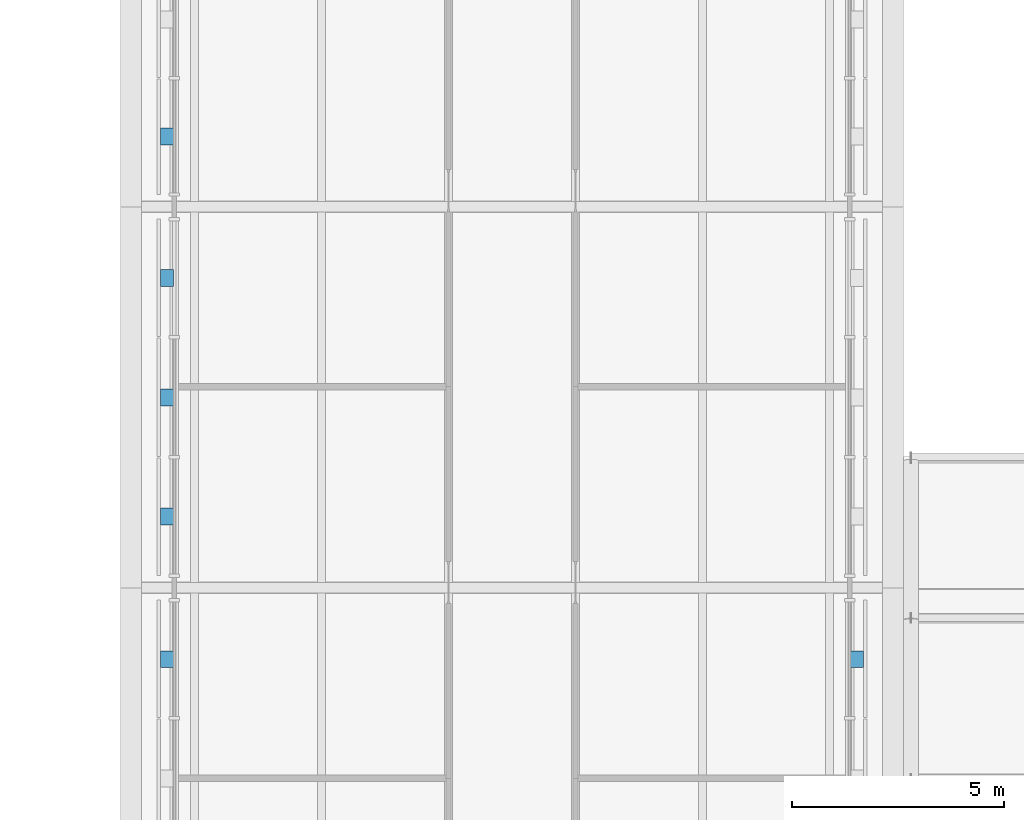
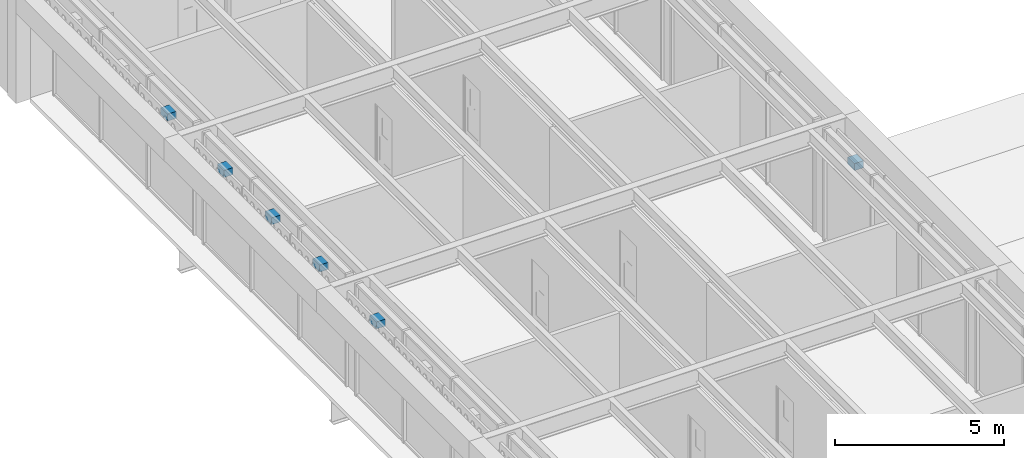
# One storey, part 29 of 43: 6 discrete accessories.
"""IFC4 building model written with IfcOpenShell, lengths in metres."""

import ifcopenshell
import ifcopenshell.guid

model = None  # the IFC model being written
_history = None  # IfcOwnerHistory: only IFC2X3 demands one
_inside = {}  # id of a spatial element -> (the spatial element, [elements in it])
_under = {}  # id of a project, library or spatial element -> (it, [spatial elements below it])
_declared = {}  # id of a project -> (the project, [libraries it declares])
_typed = {}  # id of a type object -> (the type object, [elements of that type])
_made_of = {}  # id of a material, layer set ... -> (it, [elements and type objects made of it])


def new_model(schema):
    """Start an empty IFC model of exactly this schema.

    Asked for "IFC4X3", IfcOpenShell would pick the latest addendum, in which some entities
    have other attributes; the version numbers below select the first issue.
    IFC2X3 requires an IfcOwnerHistory on every rooted entity: one is made here for all.
    """
    global model, _history
    if schema == "IFC4X3":
        model = ifcopenshell.file(schema_version=(4, 3, 0, 0))
    else:
        model = ifcopenshell.file(schema=schema)
    _inside.clear()
    _under.clear()
    _declared.clear()
    _typed.clear()
    _made_of.clear()
    _history = None
    if model.schema == "IFC2X3":
        org = make("IfcOrganization", Name="unknown")
        user = make(
            "IfcPersonAndOrganization",
            ThePerson=make("IfcPerson", FamilyName="unknown"),
            TheOrganization=org,
        )
        app = make(
            "IfcApplication",
            ApplicationDeveloper=org,
            Version="unknown",
            ApplicationFullName="unknown",
            ApplicationIdentifier="unknown",
        )
        _history = make(
            "IfcOwnerHistory",
            OwningUser=user,
            OwningApplication=app,
            ChangeAction="ADDED",
            CreationDate=0,
        )
    return model


def make(cls, **values):
    """One entity of the class cls with the attributes given. An attribute that is None is left unset."""
    return model.create_entity(
        cls, **{name: value for name, value in values.items() if value is not None}
    )


def rooted(cls, **values):
    """An entity with a GlobalId (a new one), such as an element, a storey or a relation."""
    return make(cls, GlobalId=ifcopenshell.guid.new(), OwnerHistory=_history, **values)


def si_unit(unit_type, name, prefix=None):
    """IfcSIUnit, for example si_unit("LENGTHUNIT", "METRE", prefix="MILLI")."""
    return make("IfcSIUnit", UnitType=unit_type, Prefix=prefix, Name=name)


def assignment(units):
    """IfcUnitAssignment: the units of a project."""
    return None if units is None else make("IfcUnitAssignment", Units=units)


def point(xyz):
    """IfcCartesianPoint."""
    return None if xyz is None else make("IfcCartesianPoint", Coordinates=xyz)


def direction(xyz):
    """IfcDirection."""
    return None if xyz is None else make("IfcDirection", DirectionRatios=xyz)


def frame(location, z_axis=None, x_axis=None):
    """IfcAxis2Placement3D, a coordinate frame: its origin and axes. An axis left out is left unset."""
    return make(
        "IfcAxis2Placement3D",
        Location=point(location),
        Axis=direction(z_axis),
        RefDirection=direction(x_axis),
    )


def frame_2d(location, x_axis=None):
    """IfcAxis2Placement2D, a coordinate frame in the plane: its origin and x axis."""
    return make(
        "IfcAxis2Placement2D", Location=point(location), RefDirection=direction(x_axis)
    )


def origin():
    """The frame at (0, 0, 0) with its axes left unset."""
    return frame((0.0, 0.0, 0.0))


def origin_2d():
    """The frame at (0, 0) in the plane with its x axis left unset."""
    return frame_2d((0.0, 0.0))


def place(relative_to, where):
    """IfcLocalPlacement: puts the frame where relative to a parent placement (None: the world)."""
    return make(
        "IfcLocalPlacement", PlacementRelTo=relative_to, RelativePlacement=where
    )


def context(
    kind, dimensions, precision=None, world=None, true_north=None, identifier=None
):
    """IfcGeometricRepresentationContext, for example the 3D "Model" context."""
    return make(
        "IfcGeometricRepresentationContext",
        ContextIdentifier=identifier,
        ContextType=kind,
        CoordinateSpaceDimension=dimensions,
        Precision=precision,
        WorldCoordinateSystem=world,
        TrueNorth=true_north,
    )


def subcontext(parent, identifier, kind, view, scale=None):
    """IfcGeometricRepresentationSubContext, for example "Body" below "Model"."""
    return make(
        "IfcGeometricRepresentationSubContext",
        ContextIdentifier=identifier,
        ContextType=kind,
        ParentContext=parent,
        TargetScale=scale,
        TargetView=view,
    )


def project(units=None, contexts=None):
    """IfcProject with its units and contexts."""
    return rooted(
        "IfcProject",
        Name="project",
        RepresentationContexts=contexts,
        UnitsInContext=assignment(units),
    )


def spatial(cls, under=None, at=None, **own):
    """A site, building, storey or space (cls), placed at a placement, below another one or the project."""
    s = rooted(cls, ObjectPlacement=at, **own)
    if under is not None:
        _under.setdefault(under.id(), (under, []))[1].append(s)
    return s


def profile(cls, at=None, kind="AREA", **sizes):
    """A parametric profile (cls). Its sizes go by their IFC names, for example OverallWidth=200.0."""
    return make(cls, ProfileType=kind, Position=at, **sizes)


def rectangle(**sizes):
    """IfcRectangleProfileDef."""
    return profile("IfcRectangleProfileDef", **sizes)


def extrude(swept, where, along, depth):
    """IfcExtrudedAreaSolid: the profile swept, set in the frame where, extruded along a direction by depth."""
    return make(
        "IfcExtrudedAreaSolid",
        SweptArea=swept,
        Position=where,
        ExtrudedDirection=direction(along),
        Depth=depth,
    )


def shape(context_of_items, identifier, shape_type, items):
    """IfcShapeRepresentation: the items that make up one representation, for example the "Body"."""
    return make(
        "IfcShapeRepresentation",
        ContextOfItems=context_of_items,
        RepresentationIdentifier=identifier,
        RepresentationType=shape_type,
        Items=items,
    )


def material(Name=None, Category=None):
    """IfcMaterial."""
    return make("IfcMaterial", Name=Name, Category=Category)


def made_of(thing, what):
    """Note that an element or type object is made of a material, layer set ...; save() writes the relation."""
    if what is not None:
        _made_of.setdefault(what.id(), (what, []))[1].append(thing)
    return thing


def type_object(cls, material=None, **own):
    """A type object (cls), such as IfcWallType, which elements share."""
    return made_of(rooted(cls, **own), material)


def element(
    cls,
    number,
    at=None,
    inside=None,
    cuts=None,
    type_object=None,
    material=None,
    context=None,
    identifier="Body",
    shape_type=None,
    held_by="IfcProductDefinitionShape",
    body=None,
    shapes=None,
    **own,
):
    """One element of the class cls, such as IfcWall. Its Tag is "e" and its number.

    at: its placement. inside: the storey or other place that contains it. cuts: it is an
    opening in that element (IfcRelVoidsElement). A single representation is given by context,
    identifier, shape_type and body (its items); several are given by shapes. held_by: the class
    of the entity that holds the representations. save() writes the other relations.
    """
    e = rooted(cls, Tag="e%d" % number, ObjectPlacement=at, **own)
    if body is not None:
        shapes = [shape(context, identifier, shape_type, body)]
    if shapes is not None:
        e.Representation = make(held_by, Representations=shapes)
    if inside is not None:
        _inside.setdefault(inside.id(), (inside, []))[1].append(e)
    if cuts is not None:
        rooted(
            "IfcRelVoidsElement", RelatingBuildingElement=cuts, RelatedOpeningElement=e
        )
    if type_object is not None:
        _typed.setdefault(type_object.id(), (type_object, []))[1].append(e)
    return made_of(e, material)


def aggregate(whole, parts):
    """IfcRelAggregates: a whole, such as a stair, and the parts it consists of."""
    return rooted("IfcRelAggregates", RelatingObject=whole, RelatedObjects=parts)


def save(model, path):
    """Write the relations noted so far, then the file.

    IfcRelAggregates (storeys below a building ...), IfcRelContainedInSpatialStructure (elements
    in a storey), IfcRelDefinesByType, IfcRelAssociatesMaterial and IfcRelDeclares: one each for
    every whole, place, type object, material and project.
    """
    for whole, parts in _under.values():
        aggregate(whole, parts)
    for where, things in _inside.values():
        rooted(
            "IfcRelContainedInSpatialStructure",
            RelatedElements=things,
            RelatingStructure=where,
        )
    for kind, things in _typed.values():
        rooted("IfcRelDefinesByType", RelatedObjects=things, RelatingType=kind)
    for what, things in _made_of.values():
        rooted("IfcRelAssociatesMaterial", RelatedObjects=things, RelatingMaterial=what)
    for by, libraries in _declared.values():
        rooted("IfcRelDeclares", RelatingContext=by, RelatedDefinitions=libraries)
    model.write(path)


model = new_model("IFC4")

# Units and contexts
model_context = context("Model", 3, precision=1e-05, world=origin(), true_north=direction((0.0, 1.0)))
body_context = subcontext(model_context, "Body", "Model", "MODEL_VIEW")
ifc_project = project(units=[si_unit("LENGTHUNIT", "METRE"), si_unit("AREAUNIT", "SQUARE_METRE"), si_unit("VOLUMEUNIT", "CUBIC_METRE"), si_unit("PLANEANGLEUNIT", "RADIAN"), si_unit("MASSUNIT", "GRAM", prefix="KILO")], contexts=[model_context])

# Site, building, storey
site_placement = place(None, origin())
site = spatial("IfcSite", under=ifc_project, at=site_placement, CompositionType="ELEMENT")
building_placement = place(site_placement, origin())
building = spatial("IfcBuilding", under=site, at=building_placement, Name="Baradari Gate Terminus", CompositionType="ELEMENT")
storey_placement = place(building_placement, frame((0.0, 0.0, 20.10009765625)))
storey = spatial("IfcBuildingStorey", under=building, at=storey_placement, Name="L04", CompositionType="ELEMENT", Elevation=20.10009765625)

# Discrete accessories
ifc_material = material(Name="Stainless steel 316", Category="steel")
discrete_accessory_type = type_object("IfcDiscreteAccessoryType", Name="Jali screen bracket BK-2 stainless steel", PredefinedType="BRACKET", material=ifc_material)
for number, where, z_axis, x_axis, name in (
    (1, (72.8525390625, 61.313232421875, 3.454833984375), (0.0, 0.0, 1.0), (-1.0, 0.0, 0.0), "Jali screen bracket BK-2 L04/GW3 bay 3"),
    (2, (72.8525390625, 64.686767578125, 3.454833984375), (0.0, 0.0, 1.0), (-1.0, 0.0, 0.0), "Jali screen bracket BK-2 L04/GW4 bay 1"),
    (3, (72.8525390625, 67.5, 3.454833984375), (0.0, 0.0, 1.0), (-1.0, 0.0, 0.0), "Jali screen bracket BK-2 L04/GW4 bay 2"),
    (4, (72.8525390625, 70.313232421875, 3.454833984375), (0.0, 0.0, 1.0), (-1.0, 0.0, 0.0), "Jali screen bracket BK-2 L04/GW4 bay 3"),
    (5, (72.8525390625, 73.66162109375, 3.454833984375), (0.0, 0.0, 1.0), (-1.0, 0.0, 0.0), "Jali screen bracket BK-2 L04/GW5 bay 1"),
    (6, (89.1474609375, 61.313232421875, 3.454833984375), (0.0, 0.0, 1.0), (1.0, 0.0, 0.0), "Jali screen bracket BK-2 L04/GE3 bay 3"),
):
    element("IfcDiscreteAccessory", number, at=place(storey_placement, frame(where, z_axis=z_axis, x_axis=x_axis)), inside=storey, type_object=discrete_accessory_type, Name=name, PredefinedType="BRACKET", context=body_context, shape_type="SweptSolid", body=[
        extrude(rectangle(XDim=0.304931640625, YDim=0.39990234375, at=origin_2d()), origin(), (0.0, 0.0, 1.0), 0.25),
    ])

save(model, "model.ifc")
